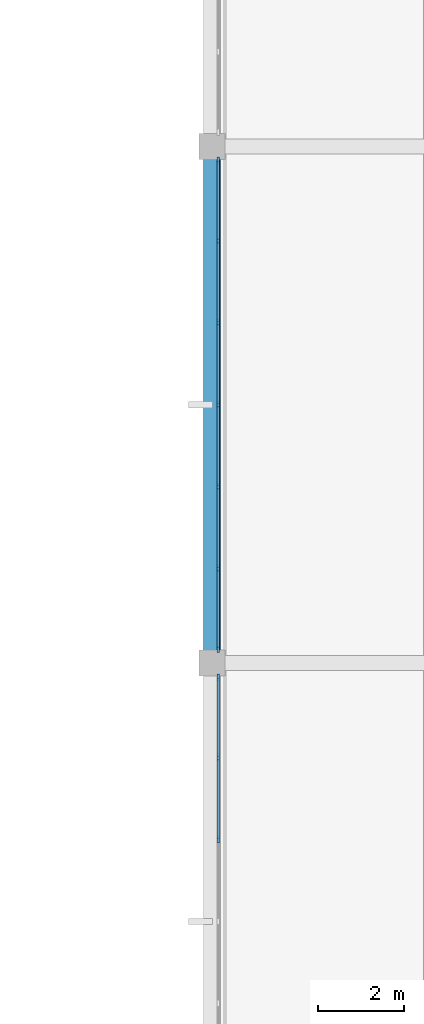
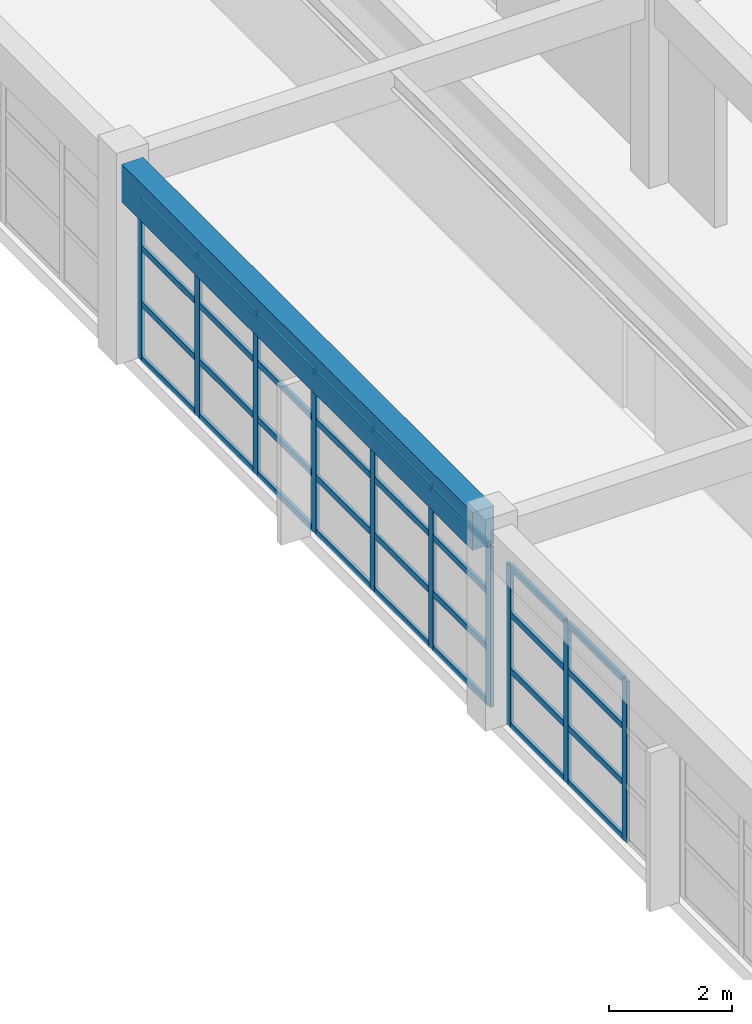
# One storey, part 9 of 28: 42 members, 1 beam, 2 elements without a shape of their own.
"""IFC4 building model written with IfcOpenShell, lengths in metres."""

from ifc_helpers import new_model, si_unit, direction, frame, origin, origin_2d, place, context, subcontext, project, spatial, rectangle, extrude, material, layer, layer_set, material_profile, profile_set, type_object, element, aggregate, save


model = new_model("IFC4")

# Units and contexts
model_context = context("Model", 3, precision=1e-05, world=origin(), true_north=direction((0.0, 1.0)))
body_context = subcontext(model_context, "Body", "Model", "MODEL_VIEW")
ifc_project = project(units=[si_unit("LENGTHUNIT", "METRE"), si_unit("AREAUNIT", "SQUARE_METRE"), si_unit("VOLUMEUNIT", "CUBIC_METRE"), si_unit("PLANEANGLEUNIT", "RADIAN"), si_unit("MASSUNIT", "GRAM", prefix="KILO")], contexts=[model_context])

# Site, building, storey
site_placement = place(None, origin())
site = spatial("IfcSite", under=ifc_project, at=site_placement, CompositionType="ELEMENT")
building_placement = place(site_placement, origin())
building = spatial("IfcBuilding", under=site, at=building_placement, Name="Kivolera Central Railway Station", CompositionType="ELEMENT")
storey_placement = place(building_placement, frame((0.0, 0.0, 18.60009765625)))
storey = spatial("IfcBuildingStorey", under=building, at=storey_placement, Name="L04", CompositionType="ELEMENT", Elevation=18.60009765625)

# Beam
ifc_material_1 = material(Name="Concrete C40/50", Category="concrete")
ifc_material_profile_1 = material_profile(ifc_material_1, rectangle(XDim=0.39990234375, YDim=0.75, at=origin_2d()), Name="RC 400x750")
ifc_profile_set_1 = profile_set([ifc_material_profile_1], Name="Concrete C40/50")
beam_type = type_object("IfcBeamType", Name="BM-RC-400x750", PredefinedType="BEAM", material=ifc_profile_set_1)
beam_placement = place(storey_placement, frame((178.0, 90.2919921875, 3.574951171875), z_axis=(0.0, 1.0, 0.0), x_axis=(-1.0, 0.0, 0.0)))
element("IfcBeam", 1, at=beam_placement, inside=storey, type_object=beam_type, Name="L04 Wing Y-Beam 18:H-J", PredefinedType="BEAM", context=body_context, shape_type="SweptSolid", body=[
    extrude(rectangle(XDim=0.39990234375, YDim=0.75, at=origin_2d()), origin(), (0.0, 0.0, 1.0), 11.416015625),
])

# Curtain wall, members
ifc_material_2 = material(Name="Anodised aluminium", Category="aluminium")
ifc_layer = layer(ifc_material_2, 0.179931640625, Name="Anodised aluminium")
ifc_layer_set = layer_set([ifc_layer], Name="Anodised aluminium")
curtain_wall_type = type_object("IfcCurtainWallType", Name="CW-SYS-32", PredefinedType="NOTDEFINED", material=ifc_layer_set)
curtain_wall_1_placement = place(storey_placement, origin())
curtain_wall_1 = element("IfcCurtainWall", 2, at=curtain_wall_1_placement, inside=storey, type_object=curtain_wall_type, Name="L04 Curtain Wall CW-L04-CRTE-G", PredefinedType="NOTDEFINED")
ifc_material_profile_2 = material_profile(ifc_material_2, rectangle(XDim=0.06005859375, YDim=0.14990234375, at=origin_2d()), Name="ALU MULL 60x150")
ifc_profile_set_2 = profile_set([ifc_material_profile_2], Name="Anodised aluminium")
member_type_1 = type_object("IfcMemberType", Name="CWM-MUL-2", PredefinedType="MULLION", material=ifc_profile_set_2)
member_1_placement = place(storey_placement, frame((178.14501953125, 85.901611328125, -0.005126953125), z_axis=(0.0, 0.0, 1.0), x_axis=(-1.0, 0.0, 0.0)))
member_1 = element("IfcMember", 3, at=member_1_placement, type_object=member_type_1, Name="CW-32 mullion 5", PredefinedType="MULLION", context=body_context, shape_type="SweptSolid", body=[
    extrude(rectangle(XDim=0.06005859375, YDim=0.14990234375, at=origin_2d()), origin(), (0.0, 0.0, 1.0), 3.193115234375),
])
member_2_placement = place(storey_placement, frame((178.14501953125, 87.80322265625, -0.005126953125), z_axis=(0.0, 0.0, 1.0), x_axis=(-1.0, 0.0, 0.0)))
member_2 = element("IfcMember", 4, at=member_2_placement, type_object=member_type_1, Name="CW-32 mullion 6", PredefinedType="MULLION", context=body_context, shape_type="SweptSolid", body=[
    extrude(rectangle(XDim=0.06005859375, YDim=0.14990234375, at=origin_2d()), origin(), (0.0, 0.0, 1.0), 3.193115234375),
])
member_3_placement = place(storey_placement, frame((178.14501953125, 89.675048828125, -0.005126953125), z_axis=(0.0, 0.0, 1.0), x_axis=(-1.0, 0.0, 0.0)))
member_3 = element("IfcMember", 5, at=member_3_placement, type_object=member_type_1, Name="CW-32 mullion 7", PredefinedType="MULLION", context=body_context, shape_type="SweptSolid", body=[
    extrude(rectangle(XDim=0.06005859375, YDim=0.14990234375, at=origin_2d()), origin(), (0.0, 0.0, 1.0), 3.193115234375),
])

curtain_wall_2_placement = place(storey_placement, origin())
curtain_wall_2 = element("IfcCurtainWall", 6, at=curtain_wall_2_placement, inside=storey, type_object=curtain_wall_type, Name="L04 Curtain Wall CW-L04-CRTE-H", PredefinedType="NOTDEFINED")
member_4_placement = place(storey_placement, frame((178.14501953125, 90.324951171875, -0.005126953125), z_axis=(0.0, 0.0, 1.0), x_axis=(-1.0, 0.0, 0.0)))
member_4 = element("IfcMember", 7, at=member_4_placement, type_object=member_type_1, Name="CW-32 mullion 1", PredefinedType="MULLION", context=body_context, shape_type="SweptSolid", body=[
    extrude(rectangle(XDim=0.06005859375, YDim=0.14990234375, at=origin_2d()), origin(), (0.0, 0.0, 1.0), 3.193115234375),
])
member_5_placement = place(storey_placement, frame((178.14501953125, 92.19677734375, -0.005126953125), z_axis=(0.0, 0.0, 1.0), x_axis=(-1.0, 0.0, 0.0)))
member_5 = element("IfcMember", 8, at=member_5_placement, type_object=member_type_1, Name="CW-32 mullion 2", PredefinedType="MULLION", context=body_context, shape_type="SweptSolid", body=[
    extrude(rectangle(XDim=0.06005859375, YDim=0.14990234375, at=origin_2d()), origin(), (0.0, 0.0, 1.0), 3.193115234375),
])
member_6_placement = place(storey_placement, frame((178.14501953125, 94.098388671875, -0.005126953125), z_axis=(0.0, 0.0, 1.0), x_axis=(-1.0, 0.0, 0.0)))
member_6 = element("IfcMember", 9, at=member_6_placement, type_object=member_type_1, Name="CW-32 mullion 3", PredefinedType="MULLION", context=body_context, shape_type="SweptSolid", body=[
    extrude(rectangle(XDim=0.06005859375, YDim=0.14990234375, at=origin_2d()), origin(), (0.0, 0.0, 1.0), 3.193115234375),
])
member_7_placement = place(storey_placement, frame((178.14501953125, 96.0, -0.005126953125), z_axis=(0.0, 0.0, 1.0), x_axis=(-1.0, 0.0, 0.0)))
member_7 = element("IfcMember", 10, at=member_7_placement, type_object=member_type_1, Name="CW-32 mullion 4", PredefinedType="MULLION", context=body_context, shape_type="SweptSolid", body=[
    extrude(rectangle(XDim=0.06005859375, YDim=0.14990234375, at=origin_2d()), origin(), (0.0, 0.0, 1.0), 3.193115234375),
])
member_8_placement = place(storey_placement, frame((178.14501953125, 97.901611328125, -0.005126953125), z_axis=(0.0, 0.0, 1.0), x_axis=(-1.0, 0.0, 0.0)))
member_8 = element("IfcMember", 11, at=member_8_placement, type_object=member_type_1, Name="CW-32 mullion 5", PredefinedType="MULLION", context=body_context, shape_type="SweptSolid", body=[
    extrude(rectangle(XDim=0.06005859375, YDim=0.14990234375, at=origin_2d()), origin(), (0.0, 0.0, 1.0), 3.193115234375),
])
member_9_placement = place(storey_placement, frame((178.14501953125, 99.80322265625, -0.005126953125), z_axis=(0.0, 0.0, 1.0), x_axis=(-1.0, 0.0, 0.0)))
member_9 = element("IfcMember", 12, at=member_9_placement, type_object=member_type_1, Name="CW-32 mullion 6", PredefinedType="MULLION", context=body_context, shape_type="SweptSolid", body=[
    extrude(rectangle(XDim=0.06005859375, YDim=0.14990234375, at=origin_2d()), origin(), (0.0, 0.0, 1.0), 3.193115234375),
])
member_10_placement = place(storey_placement, frame((178.14501953125, 101.675048828125, -0.005126953125), z_axis=(0.0, 0.0, 1.0), x_axis=(-1.0, 0.0, 0.0)))
member_10 = element("IfcMember", 13, at=member_10_placement, type_object=member_type_1, Name="CW-32 mullion 7", PredefinedType="MULLION", context=body_context, shape_type="SweptSolid", body=[
    extrude(rectangle(XDim=0.06005859375, YDim=0.14990234375, at=origin_2d()), origin(), (0.0, 0.0, 1.0), 3.193115234375),
])

# Member
ifc_material_profile_3 = material_profile(ifc_material_2, rectangle(XDim=0.06005859375, YDim=0.1201171875, at=origin_2d()), Name="ALU TRAN 60x120")
ifc_profile_set_3 = profile_set([ifc_material_profile_3], Name="Anodised aluminium")
member_type_2 = type_object("IfcMemberType", Name="CWM-TRN-2", PredefinedType="USERDEFINED", material=ifc_profile_set_3)
member_11_placement = place(storey_placement, frame((178.14501953125, 85.931640625, 0.02978515625), z_axis=(0.0, 1.0, 0.0), x_axis=(-1.0, 0.0, 0.0)))
member_11 = element("IfcMember", 14, at=member_11_placement, type_object=member_type_2, Name="CW-32 transom 5.1", ObjectType="TRANSOM", PredefinedType="USERDEFINED", context=body_context, shape_type="SweptSolid", body=[
    extrude(rectangle(XDim=0.06005859375, YDim=0.1201171875, at=origin_2d()), origin(), (0.0, 0.0, 1.0), 1.841796875),
])

member_12_placement = place(storey_placement, frame((178.14501953125, 85.931640625, 1.11572265625), z_axis=(0.0, 1.0, 0.0), x_axis=(-1.0, 0.0, 0.0)))
member_12 = element("IfcMember", 15, at=member_12_placement, type_object=member_type_2, Name="CW-32 transom 5.2", ObjectType="TRANSOM", PredefinedType="USERDEFINED", context=body_context, shape_type="SweptSolid", body=[
    extrude(rectangle(XDim=0.06005859375, YDim=0.1201171875, at=origin_2d()), origin(), (0.0, 0.0, 1.0), 1.841796875),
])

member_13_placement = place(storey_placement, frame((178.14501953125, 85.931640625, 2.2314453125), z_axis=(0.0, 1.0, 0.0), x_axis=(-1.0, 0.0, 0.0)))
member_13 = element("IfcMember", 16, at=member_13_placement, type_object=member_type_2, Name="CW-32 transom 5.3", ObjectType="TRANSOM", PredefinedType="USERDEFINED", context=body_context, shape_type="SweptSolid", body=[
    extrude(rectangle(XDim=0.06005859375, YDim=0.1201171875, at=origin_2d()), origin(), (0.0, 0.0, 1.0), 1.841796875),
])

member_14_placement = place(storey_placement, frame((178.14501953125, 85.931640625, 3.157958984375), z_axis=(0.0, 1.0, 0.0), x_axis=(-1.0, 0.0, 0.0)))
member_14 = element("IfcMember", 17, at=member_14_placement, type_object=member_type_2, Name="CW-32 transom 5.4", ObjectType="TRANSOM", PredefinedType="USERDEFINED", context=body_context, shape_type="SweptSolid", body=[
    extrude(rectangle(XDim=0.06005859375, YDim=0.1201171875, at=origin_2d()), origin(), (0.0, 0.0, 1.0), 1.841796875),
])

member_15_placement = place(storey_placement, frame((178.14501953125, 87.833251953125, 0.02978515625), z_axis=(0.0, 1.0, 0.0), x_axis=(-1.0, 0.0, 0.0)))
member_15 = element("IfcMember", 18, at=member_15_placement, type_object=member_type_2, Name="CW-32 transom 6.1", ObjectType="TRANSOM", PredefinedType="USERDEFINED", context=body_context, shape_type="SweptSolid", body=[
    extrude(rectangle(XDim=0.06005859375, YDim=0.1201171875, at=origin_2d()), origin(), (0.0, 0.0, 1.0), 1.811767578125),
])

member_16_placement = place(storey_placement, frame((178.14501953125, 87.833251953125, 1.11572265625), z_axis=(0.0, 1.0, 0.0), x_axis=(-1.0, 0.0, 0.0)))
member_16 = element("IfcMember", 19, at=member_16_placement, type_object=member_type_2, Name="CW-32 transom 6.2", ObjectType="TRANSOM", PredefinedType="USERDEFINED", context=body_context, shape_type="SweptSolid", body=[
    extrude(rectangle(XDim=0.06005859375, YDim=0.1201171875, at=origin_2d()), origin(), (0.0, 0.0, 1.0), 1.811767578125),
])

member_17_placement = place(storey_placement, frame((178.14501953125, 87.833251953125, 2.2314453125), z_axis=(0.0, 1.0, 0.0), x_axis=(-1.0, 0.0, 0.0)))
member_17 = element("IfcMember", 20, at=member_17_placement, type_object=member_type_2, Name="CW-32 transom 6.3", ObjectType="TRANSOM", PredefinedType="USERDEFINED", context=body_context, shape_type="SweptSolid", body=[
    extrude(rectangle(XDim=0.06005859375, YDim=0.1201171875, at=origin_2d()), origin(), (0.0, 0.0, 1.0), 1.811767578125),
])

member_18_placement = place(storey_placement, frame((178.14501953125, 87.833251953125, 3.157958984375), z_axis=(0.0, 1.0, 0.0), x_axis=(-1.0, 0.0, 0.0)))
member_18 = element("IfcMember", 21, at=member_18_placement, type_object=member_type_2, Name="CW-32 transom 6.4", ObjectType="TRANSOM", PredefinedType="USERDEFINED", context=body_context, shape_type="SweptSolid", body=[
    extrude(rectangle(XDim=0.06005859375, YDim=0.1201171875, at=origin_2d()), origin(), (0.0, 0.0, 1.0), 1.811767578125),
])

aggregate(curtain_wall_1, [member_1, member_2, member_3, member_11, member_12, member_13, member_14, member_15, member_16, member_17, member_18])

member_19_placement = place(storey_placement, frame((178.14501953125, 90.35498046875, 0.02978515625), z_axis=(0.0, 1.0, 0.0), x_axis=(-1.0, 0.0, 0.0)))
member_19 = element("IfcMember", 22, at=member_19_placement, type_object=member_type_2, Name="CW-32 transom 1.1", ObjectType="TRANSOM", PredefinedType="USERDEFINED", context=body_context, shape_type="SweptSolid", body=[
    extrude(rectangle(XDim=0.06005859375, YDim=0.1201171875, at=origin_2d()), origin(), (0.0, 0.0, 1.0), 1.811767578125),
])

member_20_placement = place(storey_placement, frame((178.14501953125, 90.35498046875, 1.11572265625), z_axis=(0.0, 1.0, 0.0), x_axis=(-1.0, 0.0, 0.0)))
member_20 = element("IfcMember", 23, at=member_20_placement, type_object=member_type_2, Name="CW-32 transom 1.2", ObjectType="TRANSOM", PredefinedType="USERDEFINED", context=body_context, shape_type="SweptSolid", body=[
    extrude(rectangle(XDim=0.06005859375, YDim=0.1201171875, at=origin_2d()), origin(), (0.0, 0.0, 1.0), 1.811767578125),
])

member_21_placement = place(storey_placement, frame((178.14501953125, 90.35498046875, 2.2314453125), z_axis=(0.0, 1.0, 0.0), x_axis=(-1.0, 0.0, 0.0)))
member_21 = element("IfcMember", 24, at=member_21_placement, type_object=member_type_2, Name="CW-32 transom 1.3", ObjectType="TRANSOM", PredefinedType="USERDEFINED", context=body_context, shape_type="SweptSolid", body=[
    extrude(rectangle(XDim=0.06005859375, YDim=0.1201171875, at=origin_2d()), origin(), (0.0, 0.0, 1.0), 1.811767578125),
])

member_22_placement = place(storey_placement, frame((178.14501953125, 90.35498046875, 3.157958984375), z_axis=(0.0, 1.0, 0.0), x_axis=(-1.0, 0.0, 0.0)))
member_22 = element("IfcMember", 25, at=member_22_placement, type_object=member_type_2, Name="CW-32 transom 1.4", ObjectType="TRANSOM", PredefinedType="USERDEFINED", context=body_context, shape_type="SweptSolid", body=[
    extrude(rectangle(XDim=0.06005859375, YDim=0.1201171875, at=origin_2d()), origin(), (0.0, 0.0, 1.0), 1.811767578125),
])

member_23_placement = place(storey_placement, frame((178.14501953125, 92.2265625, 0.02978515625), z_axis=(0.0, 1.0, 0.0), x_axis=(-1.0, 0.0, 0.0)))
member_23 = element("IfcMember", 26, at=member_23_placement, type_object=member_type_2, Name="CW-32 transom 2.1", ObjectType="TRANSOM", PredefinedType="USERDEFINED", context=body_context, shape_type="SweptSolid", body=[
    extrude(rectangle(XDim=0.06005859375, YDim=0.1201171875, at=origin_2d()), origin(), (0.0, 0.0, 1.0), 1.841796875),
])

member_24_placement = place(storey_placement, frame((178.14501953125, 92.2265625, 1.11572265625), z_axis=(0.0, 1.0, 0.0), x_axis=(-1.0, 0.0, 0.0)))
member_24 = element("IfcMember", 27, at=member_24_placement, type_object=member_type_2, Name="CW-32 transom 2.2", ObjectType="TRANSOM", PredefinedType="USERDEFINED", context=body_context, shape_type="SweptSolid", body=[
    extrude(rectangle(XDim=0.06005859375, YDim=0.1201171875, at=origin_2d()), origin(), (0.0, 0.0, 1.0), 1.841796875),
])

member_25_placement = place(storey_placement, frame((178.14501953125, 92.2265625, 2.2314453125), z_axis=(0.0, 1.0, 0.0), x_axis=(-1.0, 0.0, 0.0)))
member_25 = element("IfcMember", 28, at=member_25_placement, type_object=member_type_2, Name="CW-32 transom 2.3", ObjectType="TRANSOM", PredefinedType="USERDEFINED", context=body_context, shape_type="SweptSolid", body=[
    extrude(rectangle(XDim=0.06005859375, YDim=0.1201171875, at=origin_2d()), origin(), (0.0, 0.0, 1.0), 1.841796875),
])

member_26_placement = place(storey_placement, frame((178.14501953125, 92.2265625, 3.157958984375), z_axis=(0.0, 1.0, 0.0), x_axis=(-1.0, 0.0, 0.0)))
member_26 = element("IfcMember", 29, at=member_26_placement, type_object=member_type_2, Name="CW-32 transom 2.4", ObjectType="TRANSOM", PredefinedType="USERDEFINED", context=body_context, shape_type="SweptSolid", body=[
    extrude(rectangle(XDim=0.06005859375, YDim=0.1201171875, at=origin_2d()), origin(), (0.0, 0.0, 1.0), 1.841796875),
])

member_27_placement = place(storey_placement, frame((178.14501953125, 94.12841796875, 0.02978515625), z_axis=(0.0, 1.0, 0.0), x_axis=(-1.0, 0.0, 0.0)))
member_27 = element("IfcMember", 30, at=member_27_placement, type_object=member_type_2, Name="CW-32 transom 3.1", ObjectType="TRANSOM", PredefinedType="USERDEFINED", context=body_context, shape_type="SweptSolid", body=[
    extrude(rectangle(XDim=0.06005859375, YDim=0.1201171875, at=origin_2d()), origin(), (0.0, 0.0, 1.0), 1.841552734375),
])

member_28_placement = place(storey_placement, frame((178.14501953125, 94.12841796875, 1.11572265625), z_axis=(0.0, 1.0, 0.0), x_axis=(-1.0, 0.0, 0.0)))
member_28 = element("IfcMember", 31, at=member_28_placement, type_object=member_type_2, Name="CW-32 transom 3.2", ObjectType="TRANSOM", PredefinedType="USERDEFINED", context=body_context, shape_type="SweptSolid", body=[
    extrude(rectangle(XDim=0.06005859375, YDim=0.1201171875, at=origin_2d()), origin(), (0.0, 0.0, 1.0), 1.841552734375),
])

member_29_placement = place(storey_placement, frame((178.14501953125, 94.12841796875, 2.2314453125), z_axis=(0.0, 1.0, 0.0), x_axis=(-1.0, 0.0, 0.0)))
member_29 = element("IfcMember", 32, at=member_29_placement, type_object=member_type_2, Name="CW-32 transom 3.3", ObjectType="TRANSOM", PredefinedType="USERDEFINED", context=body_context, shape_type="SweptSolid", body=[
    extrude(rectangle(XDim=0.06005859375, YDim=0.1201171875, at=origin_2d()), origin(), (0.0, 0.0, 1.0), 1.841552734375),
])

member_30_placement = place(storey_placement, frame((178.14501953125, 94.12841796875, 3.157958984375), z_axis=(0.0, 1.0, 0.0), x_axis=(-1.0, 0.0, 0.0)))
member_30 = element("IfcMember", 33, at=member_30_placement, type_object=member_type_2, Name="CW-32 transom 3.4", ObjectType="TRANSOM", PredefinedType="USERDEFINED", context=body_context, shape_type="SweptSolid", body=[
    extrude(rectangle(XDim=0.06005859375, YDim=0.1201171875, at=origin_2d()), origin(), (0.0, 0.0, 1.0), 1.841552734375),
])

member_31_placement = place(storey_placement, frame((178.14501953125, 96.030029296875, 0.02978515625), z_axis=(0.0, 1.0, 0.0), x_axis=(-1.0, 0.0, 0.0)))
member_31 = element("IfcMember", 34, at=member_31_placement, type_object=member_type_2, Name="CW-32 transom 4.1", ObjectType="TRANSOM", PredefinedType="USERDEFINED", context=body_context, shape_type="SweptSolid", body=[
    extrude(rectangle(XDim=0.06005859375, YDim=0.1201171875, at=origin_2d()), origin(), (0.0, 0.0, 1.0), 1.841552734375),
])

member_32_placement = place(storey_placement, frame((178.14501953125, 96.030029296875, 1.11572265625), z_axis=(0.0, 1.0, 0.0), x_axis=(-1.0, 0.0, 0.0)))
member_32 = element("IfcMember", 35, at=member_32_placement, type_object=member_type_2, Name="CW-32 transom 4.2", ObjectType="TRANSOM", PredefinedType="USERDEFINED", context=body_context, shape_type="SweptSolid", body=[
    extrude(rectangle(XDim=0.06005859375, YDim=0.1201171875, at=origin_2d()), origin(), (0.0, 0.0, 1.0), 1.841552734375),
])

member_33_placement = place(storey_placement, frame((178.14501953125, 96.030029296875, 2.2314453125), z_axis=(0.0, 1.0, 0.0), x_axis=(-1.0, 0.0, 0.0)))
member_33 = element("IfcMember", 36, at=member_33_placement, type_object=member_type_2, Name="CW-32 transom 4.3", ObjectType="TRANSOM", PredefinedType="USERDEFINED", context=body_context, shape_type="SweptSolid", body=[
    extrude(rectangle(XDim=0.06005859375, YDim=0.1201171875, at=origin_2d()), origin(), (0.0, 0.0, 1.0), 1.841552734375),
])

member_34_placement = place(storey_placement, frame((178.14501953125, 96.030029296875, 3.157958984375), z_axis=(0.0, 1.0, 0.0), x_axis=(-1.0, 0.0, 0.0)))
member_34 = element("IfcMember", 37, at=member_34_placement, type_object=member_type_2, Name="CW-32 transom 4.4", ObjectType="TRANSOM", PredefinedType="USERDEFINED", context=body_context, shape_type="SweptSolid", body=[
    extrude(rectangle(XDim=0.06005859375, YDim=0.1201171875, at=origin_2d()), origin(), (0.0, 0.0, 1.0), 1.841552734375),
])

member_35_placement = place(storey_placement, frame((178.14501953125, 97.931640625, 0.02978515625), z_axis=(0.0, 1.0, 0.0), x_axis=(-1.0, 0.0, 0.0)))
member_35 = element("IfcMember", 38, at=member_35_placement, type_object=member_type_2, Name="CW-32 transom 5.1", ObjectType="TRANSOM", PredefinedType="USERDEFINED", context=body_context, shape_type="SweptSolid", body=[
    extrude(rectangle(XDim=0.06005859375, YDim=0.1201171875, at=origin_2d()), origin(), (0.0, 0.0, 1.0), 1.841796875),
])

member_36_placement = place(storey_placement, frame((178.14501953125, 97.931640625, 1.11572265625), z_axis=(0.0, 1.0, 0.0), x_axis=(-1.0, 0.0, 0.0)))
member_36 = element("IfcMember", 39, at=member_36_placement, type_object=member_type_2, Name="CW-32 transom 5.2", ObjectType="TRANSOM", PredefinedType="USERDEFINED", context=body_context, shape_type="SweptSolid", body=[
    extrude(rectangle(XDim=0.06005859375, YDim=0.1201171875, at=origin_2d()), origin(), (0.0, 0.0, 1.0), 1.841796875),
])

member_37_placement = place(storey_placement, frame((178.14501953125, 97.931640625, 2.2314453125), z_axis=(0.0, 1.0, 0.0), x_axis=(-1.0, 0.0, 0.0)))
member_37 = element("IfcMember", 40, at=member_37_placement, type_object=member_type_2, Name="CW-32 transom 5.3", ObjectType="TRANSOM", PredefinedType="USERDEFINED", context=body_context, shape_type="SweptSolid", body=[
    extrude(rectangle(XDim=0.06005859375, YDim=0.1201171875, at=origin_2d()), origin(), (0.0, 0.0, 1.0), 1.841796875),
])

member_38_placement = place(storey_placement, frame((178.14501953125, 97.931640625, 3.157958984375), z_axis=(0.0, 1.0, 0.0), x_axis=(-1.0, 0.0, 0.0)))
member_38 = element("IfcMember", 41, at=member_38_placement, type_object=member_type_2, Name="CW-32 transom 5.4", ObjectType="TRANSOM", PredefinedType="USERDEFINED", context=body_context, shape_type="SweptSolid", body=[
    extrude(rectangle(XDim=0.06005859375, YDim=0.1201171875, at=origin_2d()), origin(), (0.0, 0.0, 1.0), 1.841796875),
])

member_39_placement = place(storey_placement, frame((178.14501953125, 99.833251953125, 0.02978515625), z_axis=(0.0, 1.0, 0.0), x_axis=(-1.0, 0.0, 0.0)))
member_39 = element("IfcMember", 42, at=member_39_placement, type_object=member_type_2, Name="CW-32 transom 6.1", ObjectType="TRANSOM", PredefinedType="USERDEFINED", context=body_context, shape_type="SweptSolid", body=[
    extrude(rectangle(XDim=0.06005859375, YDim=0.1201171875, at=origin_2d()), origin(), (0.0, 0.0, 1.0), 1.811767578125),
])

member_40_placement = place(storey_placement, frame((178.14501953125, 99.833251953125, 1.11572265625), z_axis=(0.0, 1.0, 0.0), x_axis=(-1.0, 0.0, 0.0)))
member_40 = element("IfcMember", 43, at=member_40_placement, type_object=member_type_2, Name="CW-32 transom 6.2", ObjectType="TRANSOM", PredefinedType="USERDEFINED", context=body_context, shape_type="SweptSolid", body=[
    extrude(rectangle(XDim=0.06005859375, YDim=0.1201171875, at=origin_2d()), origin(), (0.0, 0.0, 1.0), 1.811767578125),
])

member_41_placement = place(storey_placement, frame((178.14501953125, 99.833251953125, 2.2314453125), z_axis=(0.0, 1.0, 0.0), x_axis=(-1.0, 0.0, 0.0)))
member_41 = element("IfcMember", 44, at=member_41_placement, type_object=member_type_2, Name="CW-32 transom 6.3", ObjectType="TRANSOM", PredefinedType="USERDEFINED", context=body_context, shape_type="SweptSolid", body=[
    extrude(rectangle(XDim=0.06005859375, YDim=0.1201171875, at=origin_2d()), origin(), (0.0, 0.0, 1.0), 1.811767578125),
])

member_42_placement = place(storey_placement, frame((178.14501953125, 99.833251953125, 3.157958984375), z_axis=(0.0, 1.0, 0.0), x_axis=(-1.0, 0.0, 0.0)))
member_42 = element("IfcMember", 45, at=member_42_placement, type_object=member_type_2, Name="CW-32 transom 6.4", ObjectType="TRANSOM", PredefinedType="USERDEFINED", context=body_context, shape_type="SweptSolid", body=[
    extrude(rectangle(XDim=0.06005859375, YDim=0.1201171875, at=origin_2d()), origin(), (0.0, 0.0, 1.0), 1.811767578125),
])

aggregate(curtain_wall_2, [member_4, member_5, member_6, member_7, member_8, member_9, member_10, member_19, member_20, member_21, member_22, member_23, member_24, member_25, member_26, member_27, member_28, member_29, member_30, member_31, member_32, member_33, member_34, member_35, member_36, member_37, member_38, member_39, member_40, member_41, member_42])

save(model, "model.ifc")
